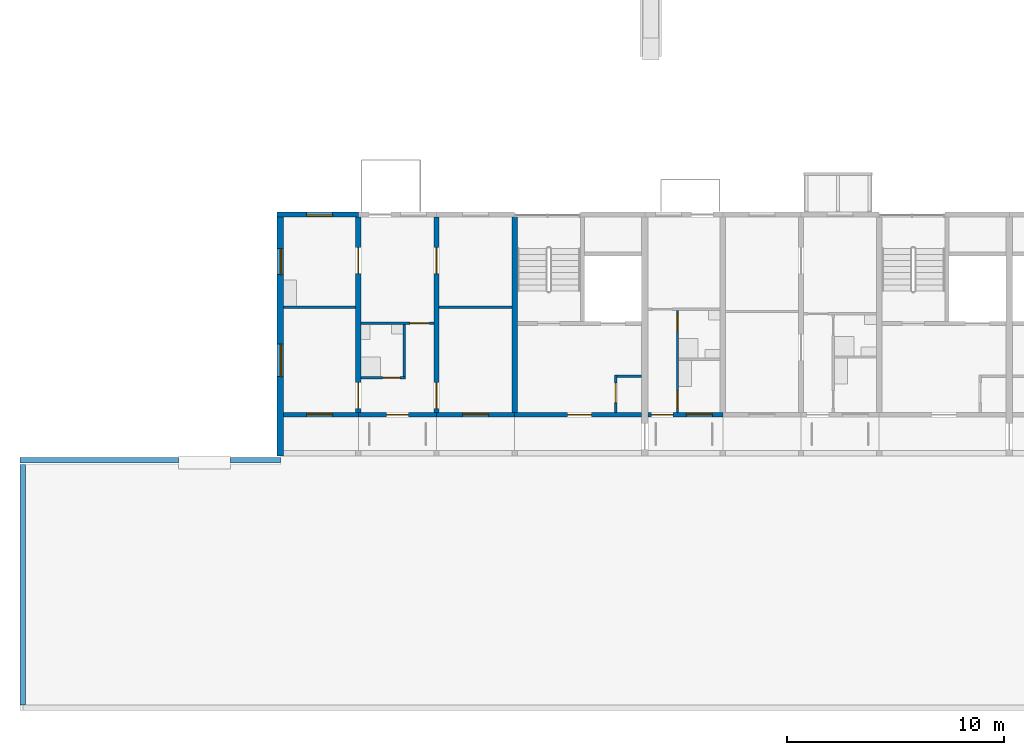
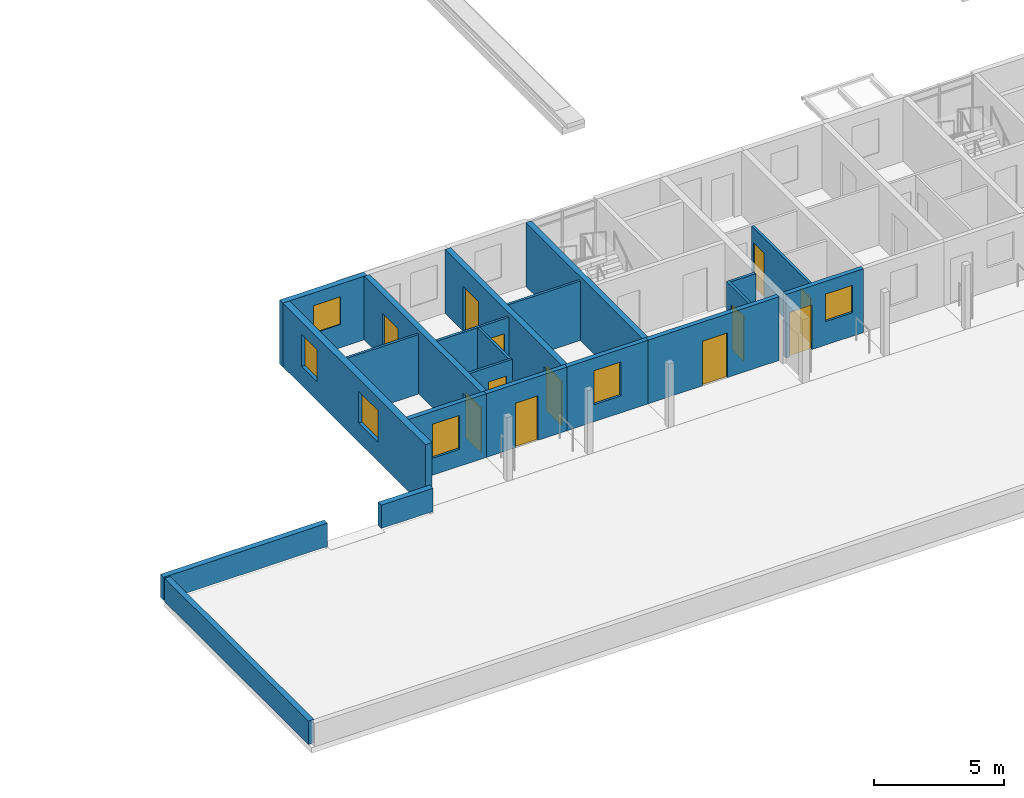
# One storey, part 40 of 115: 21 walls, 12 doors, 6 windows, 18 openings.
"""IFC4 building model written with IfcOpenShell, lengths in metres."""

import ifcopenshell
import ifcopenshell.guid

model = None  # the IFC model being written
_history = None  # IfcOwnerHistory: only IFC2X3 demands one
_inside = {}  # id of a spatial element -> (the spatial element, [elements in it])
_under = {}  # id of a project, library or spatial element -> (it, [spatial elements below it])
_declared = {}  # id of a project -> (the project, [libraries it declares])
_typed = {}  # id of a type object -> (the type object, [elements of that type])
_made_of = {}  # id of a material, layer set ... -> (it, [elements and type objects made of it])


def new_model(schema):
    """Start an empty IFC model of exactly this schema.

    Asked for "IFC4X3", IfcOpenShell would pick the latest addendum, in which some entities
    have other attributes; the version numbers below select the first issue.
    IFC2X3 requires an IfcOwnerHistory on every rooted entity: one is made here for all.
    """
    global model, _history
    if schema == "IFC4X3":
        model = ifcopenshell.file(schema_version=(4, 3, 0, 0))
    else:
        model = ifcopenshell.file(schema=schema)
    _inside.clear()
    _under.clear()
    _declared.clear()
    _typed.clear()
    _made_of.clear()
    _history = None
    if model.schema == "IFC2X3":
        org = make("IfcOrganization", Name="unknown")
        user = make(
            "IfcPersonAndOrganization",
            ThePerson=make("IfcPerson", FamilyName="unknown"),
            TheOrganization=org,
        )
        app = make(
            "IfcApplication",
            ApplicationDeveloper=org,
            Version="unknown",
            ApplicationFullName="unknown",
            ApplicationIdentifier="unknown",
        )
        _history = make(
            "IfcOwnerHistory",
            OwningUser=user,
            OwningApplication=app,
            ChangeAction="ADDED",
            CreationDate=0,
        )
    return model


def make(cls, **values):
    """One entity of the class cls with the attributes given. An attribute that is None is left unset."""
    return model.create_entity(
        cls, **{name: value for name, value in values.items() if value is not None}
    )


def rooted(cls, **values):
    """An entity with a GlobalId (a new one), such as an element, a storey or a relation."""
    return make(cls, GlobalId=ifcopenshell.guid.new(), OwnerHistory=_history, **values)


def si_unit(unit_type, name, prefix=None):
    """IfcSIUnit, for example si_unit("LENGTHUNIT", "METRE", prefix="MILLI")."""
    return make("IfcSIUnit", UnitType=unit_type, Prefix=prefix, Name=name)


def assignment(units):
    """IfcUnitAssignment: the units of a project."""
    return None if units is None else make("IfcUnitAssignment", Units=units)


def point(xyz):
    """IfcCartesianPoint."""
    return None if xyz is None else make("IfcCartesianPoint", Coordinates=xyz)


def direction(xyz):
    """IfcDirection."""
    return None if xyz is None else make("IfcDirection", DirectionRatios=xyz)


def frame(location, z_axis=None, x_axis=None):
    """IfcAxis2Placement3D, a coordinate frame: its origin and axes. An axis left out is left unset."""
    return make(
        "IfcAxis2Placement3D",
        Location=point(location),
        Axis=direction(z_axis),
        RefDirection=direction(x_axis),
    )


def frame_2d(location, x_axis=None):
    """IfcAxis2Placement2D, a coordinate frame in the plane: its origin and x axis."""
    return make(
        "IfcAxis2Placement2D", Location=point(location), RefDirection=direction(x_axis)
    )


def origin():
    """The frame at (0, 0, 0) with its axes left unset."""
    return frame((0.0, 0.0, 0.0))


def place(relative_to, where):
    """IfcLocalPlacement: puts the frame where relative to a parent placement (None: the world)."""
    return make(
        "IfcLocalPlacement", PlacementRelTo=relative_to, RelativePlacement=where
    )


def context(
    kind, dimensions, precision=None, world=None, true_north=None, identifier=None
):
    """IfcGeometricRepresentationContext, for example the 3D "Model" context."""
    return make(
        "IfcGeometricRepresentationContext",
        ContextIdentifier=identifier,
        ContextType=kind,
        CoordinateSpaceDimension=dimensions,
        Precision=precision,
        WorldCoordinateSystem=world,
        TrueNorth=true_north,
    )


def subcontext(parent, identifier, kind, view, scale=None):
    """IfcGeometricRepresentationSubContext, for example "Body" below "Model"."""
    return make(
        "IfcGeometricRepresentationSubContext",
        ContextIdentifier=identifier,
        ContextType=kind,
        ParentContext=parent,
        TargetScale=scale,
        TargetView=view,
    )


def project(units=None, contexts=None):
    """IfcProject with its units and contexts."""
    return rooted(
        "IfcProject",
        Name="project",
        RepresentationContexts=contexts,
        UnitsInContext=assignment(units),
    )


def spatial(cls, under=None, at=None, **own):
    """A site, building, storey or space (cls), placed at a placement, below another one or the project."""
    s = rooted(cls, ObjectPlacement=at, **own)
    if under is not None:
        _under.setdefault(under.id(), (under, []))[1].append(s)
    return s


def profile(cls, at=None, kind="AREA", **sizes):
    """A parametric profile (cls). Its sizes go by their IFC names, for example OverallWidth=200.0."""
    return make(cls, ProfileType=kind, Position=at, **sizes)


def rectangle(**sizes):
    """IfcRectangleProfileDef."""
    return profile("IfcRectangleProfileDef", **sizes)


def extrude(swept, where, along, depth):
    """IfcExtrudedAreaSolid: the profile swept, set in the frame where, extruded along a direction by depth."""
    return make(
        "IfcExtrudedAreaSolid",
        SweptArea=swept,
        Position=where,
        ExtrudedDirection=direction(along),
        Depth=depth,
    )


def shape(context_of_items, identifier, shape_type, items):
    """IfcShapeRepresentation: the items that make up one representation, for example the "Body"."""
    return make(
        "IfcShapeRepresentation",
        ContextOfItems=context_of_items,
        RepresentationIdentifier=identifier,
        RepresentationType=shape_type,
        Items=items,
    )


def material(Name=None, Category=None):
    """IfcMaterial."""
    return make("IfcMaterial", Name=Name, Category=Category)


def layer(
    of_material, thickness, ventilated=None, Name=None, Category=None, Priority=None
):
    """IfcMaterialLayer: one layer of a wall or slab, of a material (None: an air gap)."""
    return make(
        "IfcMaterialLayer",
        Material=of_material,
        LayerThickness=thickness,
        IsVentilated=ventilated,
        Name=Name,
        Category=Category,
        Priority=Priority,
    )


def layer_set(layers, Name=None):
    """IfcMaterialLayerSet."""
    return make("IfcMaterialLayerSet", MaterialLayers=layers, LayerSetName=Name)


def made_of(thing, what):
    """Note that an element or type object is made of a material, layer set ...; save() writes the relation."""
    if what is not None:
        _made_of.setdefault(what.id(), (what, []))[1].append(thing)
    return thing


def type_object(cls, material=None, **own):
    """A type object (cls), such as IfcWallType, which elements share."""
    return made_of(rooted(cls, **own), material)


def element(
    cls,
    number,
    at=None,
    inside=None,
    cuts=None,
    type_object=None,
    material=None,
    context=None,
    identifier="Body",
    shape_type=None,
    held_by="IfcProductDefinitionShape",
    body=None,
    shapes=None,
    **own,
):
    """One element of the class cls, such as IfcWall. Its Tag is "e" and its number.

    at: its placement. inside: the storey or other place that contains it. cuts: it is an
    opening in that element (IfcRelVoidsElement). A single representation is given by context,
    identifier, shape_type and body (its items); several are given by shapes. held_by: the class
    of the entity that holds the representations. save() writes the other relations.
    """
    e = rooted(cls, Tag="e%d" % number, ObjectPlacement=at, **own)
    if body is not None:
        shapes = [shape(context, identifier, shape_type, body)]
    if shapes is not None:
        e.Representation = make(held_by, Representations=shapes)
    if inside is not None:
        _inside.setdefault(inside.id(), (inside, []))[1].append(e)
    if cuts is not None:
        rooted(
            "IfcRelVoidsElement", RelatingBuildingElement=cuts, RelatedOpeningElement=e
        )
    if type_object is not None:
        _typed.setdefault(type_object.id(), (type_object, []))[1].append(e)
    return made_of(e, material)


def fill(opening, filler):
    """IfcRelFillsElement: the door or window that sits in an opening."""
    return rooted(
        "IfcRelFillsElement",
        RelatingOpeningElement=opening,
        RelatedBuildingElement=filler,
    )


def aggregate(whole, parts):
    """IfcRelAggregates: a whole, such as a stair, and the parts it consists of."""
    return rooted("IfcRelAggregates", RelatingObject=whole, RelatedObjects=parts)


def save(model, path):
    """Write the relations noted so far, then the file.

    IfcRelAggregates (storeys below a building ...), IfcRelContainedInSpatialStructure (elements
    in a storey), IfcRelDefinesByType, IfcRelAssociatesMaterial and IfcRelDeclares: one each for
    every whole, place, type object, material and project.
    """
    for whole, parts in _under.values():
        aggregate(whole, parts)
    for where, things in _inside.values():
        rooted(
            "IfcRelContainedInSpatialStructure",
            RelatedElements=things,
            RelatingStructure=where,
        )
    for kind, things in _typed.values():
        rooted("IfcRelDefinesByType", RelatedObjects=things, RelatingType=kind)
    for what, things in _made_of.values():
        rooted("IfcRelAssociatesMaterial", RelatedObjects=things, RelatingMaterial=what)
    for by, libraries in _declared.values():
        rooted("IfcRelDeclares", RelatingContext=by, RelatedDefinitions=libraries)
    model.write(path)


model = new_model("IFC4")

# Units and contexts
model_context = context("Model", 3, precision=1e-05, world=origin(), true_north=direction((0.0, 1.0)))
body_context = subcontext(model_context, "Body", "Model", "MODEL_VIEW")
ifc_project = project(units=[si_unit("LENGTHUNIT", "METRE"), si_unit("AREAUNIT", "SQUARE_METRE"), si_unit("VOLUMEUNIT", "CUBIC_METRE"), si_unit("PLANEANGLEUNIT", "RADIAN"), si_unit("MASSUNIT", "GRAM", prefix="KILO")], contexts=[model_context])

# Site, building, storey
site_placement = place(None, origin())
site = spatial("IfcSite", under=ifc_project, at=site_placement, CompositionType="ELEMENT")
building_placement = place(site_placement, origin())
building = spatial("IfcBuilding", under=site, at=building_placement, Name="Ridgestep Commons", CompositionType="ELEMENT")
storey_placement = place(building_placement, frame((0.0, 0.0, 6.0)))
storey = spatial("IfcBuildingStorey", under=building, at=storey_placement, Name="L02", CompositionType="ELEMENT", Elevation=6.0)

# Walls
ifc_material_1 = material(Name="Precast concrete C40/50", Category="concrete")
ifc_layer_1 = layer(ifc_material_1, 0.25)
ifc_layer_set_1 = layer_set([ifc_layer_1], Name="Community terrace parapet 250")
wall_type_1 = type_object("IfcWallType", Name="Community terrace parapet 250", PredefinedType="PARAPET", material=ifc_layer_set_1)
wall_1_placement = place(storey_placement, frame((0.010009765625, 11.550048828125, 0.0), z_axis=(0.0, 0.0, 1.0), x_axis=(1.0, 0.0, 0.0)))
element("IfcWall", 1, at=wall_1_placement, inside=storey, type_object=wall_type_1, Name="Terrace parapet", PredefinedType="PARAPET", context=body_context, shape_type="SweptSolid", body=[
    extrude(rectangle(XDim=7.2900390625, YDim=0.25, at=frame_2d((3.64501953125, 0.0))), origin(), (0.0, 0.0, 1.0), 1.10009765625),
])
wall_2_placement = place(storey_placement, frame((9.699951171875, 11.550048828125, 0.0), z_axis=(0.0, 0.0, 1.0), x_axis=(1.0, 0.0, 0.0)))
element("IfcWall", 2, at=wall_2_placement, inside=storey, type_object=wall_type_1, Name="Terrace parapet", PredefinedType="PARAPET", context=body_context, shape_type="SweptSolid", body=[
    extrude(rectangle(XDim=2.300048828125, YDim=0.25, at=frame_2d((1.14990234375, 0.0))), origin(), (0.0, 0.0, 1.0), 1.10009765625),
])
wall_3_placement = place(storey_placement, frame((0.1298828125, 0.260009765625, 0.0), z_axis=(0.0, 0.0, 1.0), x_axis=(0.0, 1.0, 0.0)))
element("IfcWall", 3, at=wall_3_placement, inside=storey, type_object=wall_type_1, Name="Deck parapet", PredefinedType="PARAPET", context=body_context, shape_type="SweptSolid", body=[
    extrude(rectangle(XDim=11.090087890625, YDim=0.25, at=frame_2d((5.544921875, 0.0))), origin(), (0.0, 0.0, 1.0), 1.10009765625),
])
ifc_material_2 = material(Name="Concrete C30/37", Category="concrete")
ifc_layer_2 = layer(ifc_material_2, 0.25)
ifc_layer_set_2 = layer_set([ifc_layer_2], Name="Core cross wall 250")
wall_type_2 = type_object("IfcWallType", Name="Core cross wall 250", PredefinedType="SHEAR", material=ifc_layer_set_2)
wall_4_placement = place(storey_placement, frame((22.800048828125, 13.75, 0.0), z_axis=(0.0, 0.0, 1.0), x_axis=(0.0, 1.0, 0.0)))
element("IfcWall", 4, at=wall_4_placement, inside=storey, type_object=wall_type_2, Name="Cross wall A-02-0228", PredefinedType="SHEAR", context=body_context, shape_type="SweptSolid", body=[
    extrude(rectangle(XDim=9.0, YDim=0.25, at=frame_2d((4.5, 0.0))), origin(), (0.0, 0.0, 1.0), 3.0),
])

# Wall, opening, door
ifc_material_3 = material(Name="Concrete C30/37", Category="concrete")
ifc_layer_3 = layer(ifc_material_3, 0.199951171875)
ifc_layer_set_3 = layer_set([ifc_layer_3], Name="Core south wall 200")
wall_type_3 = type_object("IfcWallType", Name="Core south wall 200", PredefinedType="SHEAR", material=ifc_layer_set_3)
wall_5_placement = place(storey_placement, frame((22.800048828125, 13.64990234375, 0.0), z_axis=(0.0, 0.0, 1.0), x_axis=(1.0, 0.0, 0.0)))
wall_5 = element("IfcWall", 5, at=wall_5_placement, inside=storey, type_object=wall_type_3, Name="Core south wall A1C L02", PredefinedType="SHEAR", context=body_context, shape_type="SweptSolid", body=[
    extrude(rectangle(XDim=5.849853515625, YDim=0.199951171875, at=frame_2d((2.9248046875, 0.0))), origin(), (0.0, 0.0, 1.0), 3.0),
])
opening_1_placement = place(wall_5_placement, frame((2.4375, 0.0, 0.0)))
opening_1 = element("IfcOpeningElement", 6, at=opening_1_placement, cuts=wall_5, Name="Opening A1C/02/1", PredefinedType="OPENING", context=body_context, shape_type="SweptSolid", body=[
    extrude(rectangle(XDim=1.10009765625, YDim=2.10009765625, at=frame_2d((0.550048828125, 1.050048828125))), frame((0.0, 0.10986328125, 0.0), z_axis=(0.0, -1.0, 0.0), x_axis=(1.0, 0.0, 0.0)), (0.0, 0.0, 1.0), 0.219970703125),
])
ifc_material_4 = material(Name="Steel fire door", Category="steel")
door_type_1 = type_object("IfcDoorType", Name="Lobby door 1100 x 2100 FD60", OperationType="NOTDEFINED", PredefinedType="DOOR", material=ifc_material_4)
door_1_placement = place(opening_1_placement, origin())
door_1 = element("IfcDoor", 7, at=door_1_placement, inside=storey, type_object=door_type_1, Name="Lobby door A1C/02/1", OperationType="SINGLE_SWING_LEFT", OverallHeight=2.10009765625, OverallWidth=1.10009765625, PredefinedType="DOOR", context=body_context, shape_type="SweptSolid", body=[
    extrude(rectangle(XDim=1.10009765625, YDim=2.10009765625, at=frame_2d((0.550048828125, 1.050048828125))), frame((0.0, 0.02490234375, 0.0), z_axis=(0.0, -1.0, 0.0), x_axis=(1.0, 0.0, 0.0)), (0.0, 0.0, 1.0), 0.050048828125),
])
fill(opening_1, door_1)

ifc_material_5 = material(Name="Concrete C30/37", Category="concrete")
ifc_layer_4 = layer(ifc_material_5, 0.1201171875)
ifc_layer_set_4 = layer_set([ifc_layer_4], Name="Core wall 120")
wall_type_4 = type_object("IfcWallType", Name="Core wall 120", PredefinedType="SHEAR", material=ifc_layer_set_4)
wall_6_placement = place(storey_placement, frame((27.4599609375, 13.75, 0.0), z_axis=(0.0, 0.0, 1.0), x_axis=(0.0, 1.0, 0.0)))
wall_6 = element("IfcWall", 8, at=wall_6_placement, inside=storey, type_object=wall_type_4, Name="Core riser w wall A1C L02", PredefinedType="SHEAR", context=body_context, shape_type="SweptSolid", body=[
    extrude(rectangle(XDim=1.719970703125, YDim=0.1201171875, at=frame_2d((0.85986328125, 0.0))), origin(), (0.0, 0.0, 1.0), 3.0),
])
opening_2_placement = place(wall_6_placement, frame((0.449951171875, 0.0, 0.0)))
opening_2 = element("IfcOpeningElement", 9, at=opening_2_placement, cuts=wall_6, Name="Opening A1C/02/4", PredefinedType="OPENING", context=body_context, shape_type="SweptSolid", body=[
    extrude(rectangle(XDim=0.89990234375, YDim=2.10009765625, at=frame_2d((0.449951171875, 1.050048828125))), frame((0.0, 0.070068359375, 0.0), z_axis=(0.0, -1.0, 0.0), x_axis=(1.0, 0.0, 0.0)), (0.0, 0.0, 1.0), 0.14013671875),
])
ifc_material_6 = material(Name="Steel fire door", Category="steel")
door_type_2 = type_object("IfcDoorType", Name="Riser door 900 x 2100 FD60", OperationType="NOTDEFINED", PredefinedType="DOOR", material=ifc_material_6)
door_2_placement = place(opening_2_placement, origin())
door_2 = element("IfcDoor", 10, at=door_2_placement, inside=storey, type_object=door_type_2, Name="Riser door A1C/02/4", OperationType="SINGLE_SWING_LEFT", OverallHeight=2.10009765625, OverallWidth=0.89990234375, PredefinedType="DOOR", context=body_context, shape_type="SweptSolid", body=[
    extrude(rectangle(XDim=0.89990234375, YDim=2.10009765625, at=frame_2d((0.449951171875, 1.050048828125))), frame((0.0, 0.02490234375, 0.0), z_axis=(0.0, -1.0, 0.0), x_axis=(1.0, 0.0, 0.0)), (0.0, 0.0, 1.0), 0.050048828125),
])
fill(opening_2, door_2)

# Wall
wall_7_placement = place(storey_placement, frame((27.52001953125, 15.409912109375, 0.0), z_axis=(0.0, 0.0, 1.0), x_axis=(1.0, 0.0, 0.0)))
element("IfcWall", 11, at=wall_7_placement, inside=storey, type_object=wall_type_4, Name="Core riser n wall A1C L02", PredefinedType="SHEAR", context=body_context, shape_type="SweptSolid", body=[
    extrude(rectangle(XDim=1.1298828125, YDim=0.1201171875, at=frame_2d((0.56494140625, 0.0))), origin(), (0.0, 0.0, 1.0), 3.0),
])

# Wall, openings, doors
ifc_material_7 = material(Name="Precast concrete C40/50", Category="concrete")
ifc_layer_5 = layer(ifc_material_7, 0.25)
ifc_layer_set_5 = layer_set([ifc_layer_5], Name="Cross wall 250")
wall_type_5 = type_object("IfcWallType", Name="Cross wall 250", PredefinedType="SHEAR", material=ifc_layer_set_5)
wall_8_placement = place(storey_placement, frame((15.60009765625, 13.75, 0.0), z_axis=(0.0, 0.0, 1.0), x_axis=(0.0, 1.0, 0.0)))
wall_8 = element("IfcWall", 12, at=wall_8_placement, inside=storey, type_object=wall_type_5, Name="Cross wall A-02-0156", PredefinedType="SHEAR", context=body_context, shape_type="SweptSolid", body=[
    extrude(rectangle(XDim=9.0, YDim=0.25, at=frame_2d((4.5, 0.0))), origin(), (0.0, 0.0, 1.0), 3.0),
])
opening_3_placement = place(wall_8_placement, frame((0.175048828125, 0.0, 0.0)))
opening_3 = element("IfcOpeningElement", 13, at=opening_3_placement, cuts=wall_8, Name="Opening A1-02a/4", PredefinedType="OPENING", context=body_context, shape_type="SweptSolid", body=[
    extrude(rectangle(XDim=1.199951171875, YDim=2.10009765625, at=frame_2d((0.60009765625, 1.050048828125))), frame((0.0, 0.135009765625, 0.0), z_axis=(0.0, -1.0, 0.0), x_axis=(1.0, 0.0, 0.0)), (0.0, 0.0, 1.0), 0.27001953125),
])
opening_4_placement = place(wall_8_placement, frame((6.39990234375, 0.0, 0.0)))
opening_4 = element("IfcOpeningElement", 14, at=opening_4_placement, cuts=wall_8, Name="Opening A1-02a/5", PredefinedType="OPENING", context=body_context, shape_type="SweptSolid", body=[
    extrude(rectangle(XDim=1.199951171875, YDim=2.10009765625, at=frame_2d((0.60009765625, 1.050048828125))), frame((0.0, 0.135009765625, 0.0), z_axis=(0.0, -1.0, 0.0), x_axis=(1.0, 0.0, 0.0)), (0.0, 0.0, 1.0), 0.27001953125),
])
ifc_material_8 = material(Name="Timber door leaf", Category="wood")
door_type_3 = type_object("IfcDoorType", Name="Double door 1200 x 2100", OperationType="DOUBLE_DOOR_SINGLE_SWING", PredefinedType="DOOR", material=ifc_material_8)
door_3_placement = place(opening_3_placement, origin())
door_3 = element("IfcDoor", 15, at=door_3_placement, inside=storey, type_object=door_type_3, Name="Double door A1-02a/4", OperationType="DOUBLE_DOOR_SINGLE_SWING", OverallHeight=2.10009765625, OverallWidth=1.199951171875, PredefinedType="DOOR", context=body_context, shape_type="SweptSolid", body=[
    extrude(rectangle(XDim=1.199951171875, YDim=2.10009765625, at=frame_2d((0.60009765625, 1.050048828125))), frame((0.0, 0.02490234375, 0.0), z_axis=(0.0, -1.0, 0.0), x_axis=(1.0, 0.0, 0.0)), (0.0, 0.0, 1.0), 0.050048828125),
])
fill(opening_3, door_3)
door_4_placement = place(opening_4_placement, origin())
door_4 = element("IfcDoor", 16, at=door_4_placement, inside=storey, type_object=door_type_3, Name="Double door A1-02a/5", OperationType="DOUBLE_DOOR_SINGLE_SWING", OverallHeight=2.10009765625, OverallWidth=1.199951171875, PredefinedType="DOOR", context=body_context, shape_type="SweptSolid", body=[
    extrude(rectangle(XDim=1.199951171875, YDim=2.10009765625, at=frame_2d((0.60009765625, 1.050048828125))), frame((0.0, 0.02490234375, 0.0), z_axis=(0.0, -1.0, 0.0), x_axis=(1.0, 0.0, 0.0)), (0.0, 0.0, 1.0), 0.050048828125),
])
fill(opening_4, door_4)

wall_9_placement = place(storey_placement, frame((19.199951171875, 13.75, 0.0), z_axis=(0.0, 0.0, 1.0), x_axis=(0.0, 1.0, 0.0)))
wall_9 = element("IfcWall", 17, at=wall_9_placement, inside=storey, type_object=wall_type_5, Name="Cross wall A-02-0192", PredefinedType="SHEAR", context=body_context, shape_type="SweptSolid", body=[
    extrude(rectangle(XDim=9.0, YDim=0.25, at=frame_2d((4.5, 0.0))), origin(), (0.0, 0.0, 1.0), 3.0),
])
opening_5_placement = place(wall_9_placement, frame((0.175048828125, 0.0, 0.0)))
opening_5 = element("IfcOpeningElement", 18, at=opening_5_placement, cuts=wall_9, Name="Opening A1-02a/6", PredefinedType="OPENING", context=body_context, shape_type="SweptSolid", body=[
    extrude(rectangle(XDim=1.199951171875, YDim=2.10009765625, at=frame_2d((0.60009765625, 1.050048828125))), frame((0.0, 0.135009765625, 0.0), z_axis=(0.0, -1.0, 0.0), x_axis=(1.0, 0.0, 0.0)), (0.0, 0.0, 1.0), 0.27001953125),
])
opening_6_placement = place(wall_9_placement, frame((6.39990234375, 0.0, 0.0)))
opening_6 = element("IfcOpeningElement", 19, at=opening_6_placement, cuts=wall_9, Name="Opening A1-02a/7", PredefinedType="OPENING", context=body_context, shape_type="SweptSolid", body=[
    extrude(rectangle(XDim=1.199951171875, YDim=2.10009765625, at=frame_2d((0.60009765625, 1.050048828125))), frame((0.0, 0.135009765625, 0.0), z_axis=(0.0, -1.0, 0.0), x_axis=(1.0, 0.0, 0.0)), (0.0, 0.0, 1.0), 0.27001953125),
])
door_5_placement = place(opening_5_placement, origin())
door_5 = element("IfcDoor", 20, at=door_5_placement, inside=storey, type_object=door_type_3, Name="Double door A1-02a/6", OperationType="DOUBLE_DOOR_SINGLE_SWING", OverallHeight=2.10009765625, OverallWidth=1.199951171875, PredefinedType="DOOR", context=body_context, shape_type="SweptSolid", body=[
    extrude(rectangle(XDim=1.199951171875, YDim=2.10009765625, at=frame_2d((0.60009765625, 1.050048828125))), frame((0.0, 0.02490234375, 0.0), z_axis=(0.0, -1.0, 0.0), x_axis=(1.0, 0.0, 0.0)), (0.0, 0.0, 1.0), 0.050048828125),
])
fill(opening_5, door_5)
door_6_placement = place(opening_6_placement, origin())
door_6 = element("IfcDoor", 21, at=door_6_placement, inside=storey, type_object=door_type_3, Name="Double door A1-02a/7", OperationType="DOUBLE_DOOR_SINGLE_SWING", OverallHeight=2.10009765625, OverallWidth=1.199951171875, PredefinedType="DOOR", context=body_context, shape_type="SweptSolid", body=[
    extrude(rectangle(XDim=1.199951171875, YDim=2.10009765625, at=frame_2d((0.60009765625, 1.050048828125))), frame((0.0, 0.02490234375, 0.0), z_axis=(0.0, -1.0, 0.0), x_axis=(1.0, 0.0, 0.0)), (0.0, 0.0, 1.0), 0.050048828125),
])
fill(opening_6, door_6)

# Wall, openings, windows
ifc_material_9 = material(Name="Precast concrete C40/50", Category="concrete")
ifc_layer_6 = layer(ifc_material_9, 0.300048828125)
ifc_layer_set_6 = layer_set([ifc_layer_6], Name="Exposed division wall 300")
wall_type_6 = type_object("IfcWallType", Name="Exposed division wall 300", PredefinedType="SHEAR", material=ifc_layer_set_6)
wall_10_placement = place(storey_placement, frame((12.0, 11.75, 0.0), z_axis=(0.0, 0.0, 1.0), x_axis=(0.0, 1.0, 0.0)))
wall_10 = element("IfcWall", 22, at=wall_10_placement, inside=storey, type_object=wall_type_6, Name="Cross wall A-02-0120", PredefinedType="SHEAR", context=body_context, shape_type="SweptSolid", body=[
    extrude(rectangle(XDim=11.0, YDim=0.300048828125, at=frame_2d((5.5, 0.0))), origin(), (0.0, 0.0, 1.0), 3.0),
])
opening_7_placement = place(wall_10_placement, frame((3.64990234375, 0.0, 0.89990234375)))
opening_7 = element("IfcOpeningElement", 23, at=opening_7_placement, cuts=wall_10, Name="Opening W16", PredefinedType="OPENING", context=body_context, shape_type="SweptSolid", body=[
    extrude(rectangle(XDim=1.5, YDim=1.5, at=frame_2d((0.75, 0.75))), frame((0.0, 0.159912109375, 0.0), z_axis=(0.0, -1.0, 0.0), x_axis=(1.0, 0.0, 0.0)), (0.0, 0.0, 1.0), 0.320068359375),
])
opening_8_placement = place(wall_10_placement, frame((8.35498046875, 0.0, 0.89990234375)))
opening_8 = element("IfcOpeningElement", 24, at=opening_8_placement, cuts=wall_10, Name="Opening W10", PredefinedType="OPENING", context=body_context, shape_type="SweptSolid", body=[
    extrude(rectangle(XDim=1.199951171875, YDim=1.5, at=frame_2d((0.60009765625, 0.75))), frame((0.0, 0.159912109375, 0.0), z_axis=(0.0, -1.0, 0.0), x_axis=(1.0, 0.0, 0.0)), (0.0, 0.0, 1.0), 0.320068359375),
])
ifc_material_10 = material(Name="Aluminium 6063-T6 and glass", Category="aluminium")
window_type_1 = type_object("IfcWindowType", Name="Flat window 1200 x 1500", PartitioningType="SINGLE_PANEL", PredefinedType="WINDOW", material=ifc_material_10)
window_1_placement = place(opening_8_placement, origin())
window_1 = element("IfcWindow", 25, at=window_1_placement, inside=storey, type_object=window_type_1, Name="Window A1-02a 7", OverallHeight=1.5, OverallWidth=1.199951171875, PartitioningType="SINGLE_PANEL", PredefinedType="WINDOW", context=body_context, shape_type="SweptSolid", body=[
    extrude(rectangle(XDim=1.199951171875, YDim=1.5, at=frame_2d((0.60009765625, 0.75))), frame((0.0, 0.0, 0.0), z_axis=(0.0, -1.0, 0.0), x_axis=(1.0, 0.0, 0.0)), (0.0, 0.0, 1.0), 0.06005859375),
])
fill(opening_8, window_1)
ifc_material_11 = material(Name="Aluminium 6063-T6 and glass", Category="aluminium")
window_type_2 = type_object("IfcWindowType", Name="Flat window 1500 x 1500", PartitioningType="DOUBLE_PANEL_VERTICAL", PredefinedType="WINDOW", material=ifc_material_11)
window_2_placement = place(opening_7_placement, origin())
window_2 = element("IfcWindow", 26, at=window_2_placement, inside=storey, type_object=window_type_2, Name="Window A1-02a 6", OverallHeight=1.5, OverallWidth=1.5, PartitioningType="SINGLE_PANEL", PredefinedType="WINDOW", context=body_context, shape_type="SweptSolid", body=[
    extrude(rectangle(XDim=1.5, YDim=1.5, at=frame_2d((0.75, 0.75))), frame((0.0, 0.0, 0.0), z_axis=(0.0, -1.0, 0.0), x_axis=(1.0, 0.0, 0.0)), (0.0, 0.0, 1.0), 0.06005859375),
])
fill(opening_7, window_2)

# Wall, opening, window
ifc_material_12 = material(Name="Precast concrete C40/50", Category="concrete")
ifc_layer_7 = layer(ifc_material_12, 0.25)
ifc_layer_set_7 = layer_set([ifc_layer_7], Name="North facade panel 250")
wall_type_7 = type_object("IfcWallType", Name="North facade panel 250", PredefinedType="SOLIDWALL", material=ifc_layer_set_7)
wall_11_placement = place(storey_placement, frame((11.85009765625, 22.875, 0.0), z_axis=(0.0, 0.0, 1.0), x_axis=(1.0, 0.0, 0.0)))
wall_11 = element("IfcWall", 27, at=wall_11_placement, inside=storey, type_object=wall_type_7, Name="North panel A1T1 L02", PredefinedType="SOLIDWALL", context=body_context, shape_type="SweptSolid", body=[
    extrude(rectangle(XDim=3.75, YDim=0.25, at=frame_2d((1.875, 0.0))), origin(), (0.0, 0.0, 1.0), 3.0),
])
opening_9_placement = place(wall_11_placement, frame((1.362548828125, 0.0, 1.10009765625)))
opening_9 = element("IfcOpeningElement", 28, at=opening_9_placement, cuts=wall_11, Name="Opening W08", PredefinedType="OPENING", context=body_context, shape_type="SweptSolid", body=[
    extrude(rectangle(XDim=1.199951171875, YDim=1.300048828125, at=frame_2d((0.60009765625, 0.64990234375))), frame((0.0, 0.135009765625, 0.0), z_axis=(0.0, -1.0, 0.0), x_axis=(1.0, 0.0, 0.0)), (0.0, 0.0, 1.0), 0.27001953125),
])
ifc_material_13 = material(Name="Aluminium 6063-T6 and glass", Category="aluminium")
window_type_3 = type_object("IfcWindowType", Name="Flat window 1200 x 1300", PartitioningType="SINGLE_PANEL", PredefinedType="WINDOW", material=ifc_material_13)
window_3_placement = place(opening_9_placement, origin())
window_3 = element("IfcWindow", 29, at=window_3_placement, inside=storey, type_object=window_type_3, Name="Window A1-02a 2", OverallHeight=1.300048828125, OverallWidth=1.199951171875, PartitioningType="SINGLE_PANEL", PredefinedType="WINDOW", context=body_context, shape_type="SweptSolid", body=[
    extrude(rectangle(XDim=1.199951171875, YDim=1.300048828125, at=frame_2d((0.60009765625, 0.64990234375))), frame((0.0, -0.02490234375, 0.0), z_axis=(0.0, -1.0, 0.0), x_axis=(1.0, 0.0, 0.0)), (0.0, 0.0, 1.0), 0.06005859375),
])
fill(opening_9, window_3)

# Wall, opening, door
ifc_material_14 = material(Name="Common brick 110 mm", Category="masonry")
ifc_layer_8 = layer(ifc_material_14, 0.110107421875)
ifc_layer_set_8 = layer_set([ifc_layer_8], Name="Partition 110")
wall_type_8 = type_object("IfcWallType", Name="Partition 110", PredefinedType="PARTITIONING", material=ifc_layer_set_8)
wall_12_placement = place(storey_placement, frame((15.72509765625, 15.35498046875, 0.0), z_axis=(0.0, 0.0, 1.0), x_axis=(1.0, 0.0, 0.0)))
wall_12 = element("IfcWall", 30, at=wall_12_placement, inside=storey, type_object=wall_type_8, Name="Partition A1-02a", PredefinedType="PARTITIONING", context=body_context, shape_type="SweptSolid", body=[
    extrude(rectangle(XDim=2.0498046875, YDim=0.110107421875, at=frame_2d((1.02490234375, 0.0))), origin(), (0.0, 0.0, 1.0), 2.800048828125),
])
opening_10_placement = place(wall_12_placement, frame((0.989990234375, 0.0, 0.0)))
opening_10 = element("IfcOpeningElement", 31, at=opening_10_placement, cuts=wall_12, Name="Opening A1-02a/2", PredefinedType="OPENING", context=body_context, shape_type="SweptSolid", body=[
    extrude(rectangle(XDim=0.800048828125, YDim=2.10009765625, at=frame_2d((0.39990234375, 1.050048828125))), frame((0.0, 0.06494140625, 0.0), z_axis=(0.0, -1.0, 0.0), x_axis=(1.0, 0.0, 0.0)), (0.0, 0.0, 1.0), 0.130126953125),
])
ifc_material_15 = material(Name="Timber door leaf", Category="wood")
door_type_4 = type_object("IfcDoorType", Name="Internal door 800 x 2100", OperationType="NOTDEFINED", PredefinedType="DOOR", material=ifc_material_15)
door_7_placement = place(opening_10_placement, origin())
door_7 = element("IfcDoor", 32, at=door_7_placement, inside=storey, type_object=door_type_4, Name="Internal door A1-02a/2", OperationType="SINGLE_SWING_RIGHT", OverallHeight=2.10009765625, OverallWidth=0.800048828125, PredefinedType="DOOR", context=body_context, shape_type="SweptSolid", body=[
    extrude(rectangle(XDim=0.800048828125, YDim=2.10009765625, at=frame_2d((0.39990234375, 1.050048828125))), frame((0.0, 0.02490234375, 0.0), z_axis=(0.0, -1.0, 0.0), x_axis=(1.0, 0.0, 0.0)), (0.0, 0.0, 1.0), 0.050048828125),
])
fill(opening_10, door_7)

# Wall
wall_13_placement = place(storey_placement, frame((17.719970703125, 15.409912109375, 0.0), z_axis=(0.0, 0.0, 1.0), x_axis=(0.0, 1.0, 0.0)))
element("IfcWall", 33, at=wall_13_placement, inside=storey, type_object=wall_type_8, Name="Partition A1-02a", PredefinedType="PARTITIONING", context=body_context, shape_type="SweptSolid", body=[
    extrude(rectangle(XDim=2.400146484375, YDim=0.110107421875, at=frame_2d((1.2001953125, 0.0))), origin(), (0.0, 0.0, 1.0), 2.800048828125),
])

# Wall, opening, door
wall_14_placement = place(storey_placement, frame((15.72509765625, 17.864990234375, 0.0), z_axis=(0.0, 0.0, 1.0), x_axis=(1.0, 0.0, 0.0)))
wall_14 = element("IfcWall", 34, at=wall_14_placement, inside=storey, type_object=wall_type_8, Name="Partition A1-02a", PredefinedType="PARTITIONING", context=body_context, shape_type="SweptSolid", body=[
    extrude(rectangle(XDim=3.349853515625, YDim=0.110107421875, at=frame_2d((1.6748046875, 0.0))), origin(), (0.0, 0.0, 1.0), 2.800048828125),
])
opening_11_placement = place(wall_14_placement, frame((2.25, 0.0, 0.0)))
opening_11 = element("IfcOpeningElement", 35, at=opening_11_placement, cuts=wall_14, Name="Opening A1-02a/3", PredefinedType="OPENING", context=body_context, shape_type="SweptSolid", body=[
    extrude(rectangle(XDim=0.89990234375, YDim=2.10009765625, at=frame_2d((0.449951171875, 1.050048828125))), frame((0.0, 0.06494140625, 0.0), z_axis=(0.0, -1.0, 0.0), x_axis=(1.0, 0.0, 0.0)), (0.0, 0.0, 1.0), 0.130126953125),
])
ifc_material_16 = material(Name="Timber door leaf", Category="wood")
door_type_5 = type_object("IfcDoorType", Name="Internal door 900 x 2100", OperationType="NOTDEFINED", PredefinedType="DOOR", material=ifc_material_16)
door_8_placement = place(opening_11_placement, origin())
door_8 = element("IfcDoor", 36, at=door_8_placement, inside=storey, type_object=door_type_5, Name="Internal door A1-02a/3", OperationType="SINGLE_SWING_LEFT", OverallHeight=2.10009765625, OverallWidth=0.89990234375, PredefinedType="DOOR", context=body_context, shape_type="SweptSolid", body=[
    extrude(rectangle(XDim=0.89990234375, YDim=2.10009765625, at=frame_2d((0.449951171875, 1.050048828125))), frame((0.0, 0.02490234375, 0.0), z_axis=(0.0, -1.0, 0.0), x_axis=(1.0, 0.0, 0.0)), (0.0, 0.0, 1.0), 0.050048828125),
])
fill(opening_11, door_8)

# Walls
wall_15_placement = place(storey_placement, frame((12.14990234375, 18.60498046875, 0.0), z_axis=(0.0, 0.0, 1.0), x_axis=(1.0, 0.0, 0.0)))
element("IfcWall", 37, at=wall_15_placement, inside=storey, type_object=wall_type_8, Name="Partition A1-02a", PredefinedType="PARTITIONING", context=body_context, shape_type="SweptSolid", body=[
    extrude(rectangle(XDim=3.3251953125, YDim=0.110107421875, at=frame_2d((1.66259765625, 0.0))), origin(), (0.0, 0.0, 1.0), 2.800048828125),
])
wall_16_placement = place(storey_placement, frame((19.324951171875, 18.60498046875, 0.0), z_axis=(0.0, 0.0, 1.0), x_axis=(1.0, 0.0, 0.0)))
element("IfcWall", 38, at=wall_16_placement, inside=storey, type_object=wall_type_8, Name="Partition A1-02a", PredefinedType="PARTITIONING", context=body_context, shape_type="SweptSolid", body=[
    extrude(rectangle(XDim=3.35009765625, YDim=0.110107421875, at=frame_2d((1.675048828125, 0.0))), origin(), (0.0, 0.0, 1.0), 2.800048828125),
])

# Wall, openings, doors
wall_17_placement = place(storey_placement, frame((30.304931640625, 13.75, 0.0), z_axis=(0.0, 0.0, 1.0), x_axis=(0.0, 1.0, 0.0)))
wall_17 = element("IfcWall", 39, at=wall_17_placement, inside=storey, type_object=wall_type_8, Name="Partition A2-02a", PredefinedType="PARTITIONING", context=body_context, shape_type="SweptSolid", body=[
    extrude(rectangle(XDim=4.699951171875, YDim=0.110107421875, at=frame_2d((2.35009765625, 0.0))), origin(), (0.0, 0.0, 1.0), 2.800048828125),
])
opening_12_placement = place(wall_17_placement, frame((0.199951171875, 0.0, 0.0)))
opening_12 = element("IfcOpeningElement", 40, at=opening_12_placement, cuts=wall_17, Name="Opening A2-02a/2", PredefinedType="OPENING", context=body_context, shape_type="SweptSolid", body=[
    extrude(rectangle(XDim=0.800048828125, YDim=2.10009765625, at=frame_2d((0.39990234375, 1.050048828125))), frame((0.0, 0.06494140625, 0.0), z_axis=(0.0, -1.0, 0.0), x_axis=(1.0, 0.0, 0.0)), (0.0, 0.0, 1.0), 0.130126953125),
])
opening_13_placement = place(wall_17_placement, frame((3.75, 0.0, 0.0)))
opening_13 = element("IfcOpeningElement", 41, at=opening_13_placement, cuts=wall_17, Name="Opening A2-02a/3", PredefinedType="OPENING", context=body_context, shape_type="SweptSolid", body=[
    extrude(rectangle(XDim=0.800048828125, YDim=2.10009765625, at=frame_2d((0.39990234375, 1.050048828125))), frame((0.0, 0.06494140625, 0.0), z_axis=(0.0, -1.0, 0.0), x_axis=(1.0, 0.0, 0.0)), (0.0, 0.0, 1.0), 0.130126953125),
])
door_9_placement = place(opening_12_placement, origin())
door_9 = element("IfcDoor", 42, at=door_9_placement, inside=storey, type_object=door_type_4, Name="Internal door A2-02a/2", OperationType="SINGLE_SWING_RIGHT", OverallHeight=2.10009765625, OverallWidth=0.800048828125, PredefinedType="DOOR", context=body_context, shape_type="SweptSolid", body=[
    extrude(rectangle(XDim=0.800048828125, YDim=2.10009765625, at=frame_2d((0.39990234375, 1.050048828125))), frame((0.0, 0.02490234375, 0.0), z_axis=(0.0, -1.0, 0.0), x_axis=(1.0, 0.0, 0.0)), (0.0, 0.0, 1.0), 0.050048828125),
])
fill(opening_12, door_9)
door_10_placement = place(opening_13_placement, origin())
door_10 = element("IfcDoor", 43, at=door_10_placement, inside=storey, type_object=door_type_4, Name="Internal door A2-02a/3", OperationType="SINGLE_SWING_LEFT", OverallHeight=2.10009765625, OverallWidth=0.800048828125, PredefinedType="DOOR", context=body_context, shape_type="SweptSolid", body=[
    extrude(rectangle(XDim=0.800048828125, YDim=2.10009765625, at=frame_2d((0.39990234375, 1.050048828125))), frame((0.0, 0.02490234375, 0.0), z_axis=(0.0, -1.0, 0.0), x_axis=(1.0, 0.0, 0.0)), (0.0, 0.0, 1.0), 0.050048828125),
])
fill(opening_13, door_10)

# Wall, opening, window
ifc_material_17 = material(Name="Precast concrete C40/50", Category="concrete")
ifc_layer_9 = layer(ifc_material_17, 0.199951171875)
ifc_layer_set_9 = layer_set([ifc_layer_9], Name="South facade panel 200")
wall_type_9 = type_object("IfcWallType", Name="South facade panel 200", PredefinedType="SOLIDWALL", material=ifc_layer_set_9)
wall_18_placement = place(storey_placement, frame((12.14990234375, 13.64990234375, 0.0), z_axis=(0.0, 0.0, 1.0), x_axis=(1.0, 0.0, 0.0)))
wall_18 = element("IfcWall", 44, at=wall_18_placement, inside=storey, type_object=wall_type_9, Name="South panel A1T1 L02", PredefinedType="SOLIDWALL", context=body_context, shape_type="SweptSolid", body=[
    extrude(rectangle(XDim=3.4501953125, YDim=0.199951171875, at=frame_2d((1.72509765625, 0.0))), origin(), (0.0, 0.0, 1.0), 3.0),
])
opening_14_placement = place(wall_18_placement, frame((1.0625, 0.0, 0.800048828125)))
opening_14 = element("IfcOpeningElement", 45, at=opening_14_placement, cuts=wall_18, Name="Opening W11", PredefinedType="OPENING", context=body_context, shape_type="SweptSolid", body=[
    extrude(rectangle(XDim=1.199951171875, YDim=1.60009765625, at=frame_2d((0.60009765625, 0.800048828125))), frame((0.0, 0.10986328125, 0.0), z_axis=(0.0, -1.0, 0.0), x_axis=(1.0, 0.0, 0.0)), (0.0, 0.0, 1.0), 0.219970703125),
])
ifc_material_18 = material(Name="Aluminium 6063-T6 and glass", Category="aluminium")
window_type_4 = type_object("IfcWindowType", Name="Flat window 1200 x 1600", PartitioningType="SINGLE_PANEL", PredefinedType="WINDOW", material=ifc_material_18)
window_4_placement = place(opening_14_placement, origin())
window_4 = element("IfcWindow", 46, at=window_4_placement, inside=storey, type_object=window_type_4, Name="Window A1-02a 1", OverallHeight=1.60009765625, OverallWidth=1.199951171875, PartitioningType="SINGLE_PANEL", PredefinedType="WINDOW", context=body_context, shape_type="SweptSolid", body=[
    extrude(rectangle(XDim=1.199951171875, YDim=1.60009765625, at=frame_2d((0.60009765625, 0.800048828125))), frame((0.0, 0.06005859375, 0.0), z_axis=(0.0, -1.0, 0.0), x_axis=(1.0, 0.0, 0.0)), (0.0, 0.0, 1.0), 0.06005859375),
])
fill(opening_14, window_4)

# Wall, opening, door
wall_19_placement = place(storey_placement, frame((15.60009765625, 13.64990234375, 0.0), z_axis=(0.0, 0.0, 1.0), x_axis=(1.0, 0.0, 0.0)))
wall_19 = element("IfcWall", 47, at=wall_19_placement, inside=storey, type_object=wall_type_9, Name="South panel A1T2 L02", PredefinedType="SOLIDWALL", context=body_context, shape_type="SweptSolid", body=[
    extrude(rectangle(XDim=3.599853515625, YDim=0.199951171875, at=frame_2d((1.7998046875, 0.0))), origin(), (0.0, 0.0, 1.0), 3.0),
])
opening_15_placement = place(wall_19_placement, frame((1.300048828125, 0.0, 0.0)))
opening_15 = element("IfcOpeningElement", 48, at=opening_15_placement, cuts=wall_19, Name="Opening A1-02a/1", PredefinedType="OPENING", context=body_context, shape_type="SweptSolid", body=[
    extrude(rectangle(XDim=1.0, YDim=2.10009765625, at=frame_2d((0.5, 1.050048828125))), frame((0.0, 0.10986328125, 0.0), z_axis=(0.0, -1.0, 0.0), x_axis=(1.0, 0.0, 0.0)), (0.0, 0.0, 1.0), 0.219970703125),
])
ifc_material_19 = material(Name="Timber door leaf", Category="wood")
door_type_6 = type_object("IfcDoorType", Name="Flat entrance door 1000 x 2100 FD30S", OperationType="NOTDEFINED", PredefinedType="DOOR", material=ifc_material_19)
door_11_placement = place(opening_15_placement, origin())
door_11 = element("IfcDoor", 49, at=door_11_placement, inside=storey, type_object=door_type_6, Name="Flat entrance door A1-02a/1", OperationType="SINGLE_SWING_RIGHT", OverallHeight=2.10009765625, OverallWidth=1.0, PredefinedType="DOOR", context=body_context, shape_type="SweptSolid", body=[
    extrude(rectangle(XDim=1.0, YDim=2.10009765625, at=frame_2d((0.5, 1.050048828125))), frame((0.0, 0.02490234375, 0.0), z_axis=(0.0, -1.0, 0.0), x_axis=(1.0, 0.0, 0.0)), (0.0, 0.0, 1.0), 0.050048828125),
])
fill(opening_15, door_11)

# Wall, opening, window
wall_20_placement = place(storey_placement, frame((19.199951171875, 13.64990234375, 0.0), z_axis=(0.0, 0.0, 1.0), x_axis=(1.0, 0.0, 0.0)))
wall_20 = element("IfcWall", 50, at=wall_20_placement, inside=storey, type_object=wall_type_9, Name="South panel A1T3 L02", PredefinedType="SOLIDWALL", context=body_context, shape_type="SweptSolid", body=[
    extrude(rectangle(XDim=3.60009765625, YDim=0.199951171875, at=frame_2d((1.800048828125, 0.0))), origin(), (0.0, 0.0, 1.0), 3.0),
])
opening_16_placement = place(wall_20_placement, frame((1.199951171875, 0.0, 0.800048828125)))
opening_16 = element("IfcOpeningElement", 51, at=opening_16_placement, cuts=wall_20, Name="Opening W11", PredefinedType="OPENING", context=body_context, shape_type="SweptSolid", body=[
    extrude(rectangle(XDim=1.199951171875, YDim=1.60009765625, at=frame_2d((0.60009765625, 0.800048828125))), frame((0.0, 0.10986328125, 0.0), z_axis=(0.0, -1.0, 0.0), x_axis=(1.0, 0.0, 0.0)), (0.0, 0.0, 1.0), 0.219970703125),
])
window_5_placement = place(opening_16_placement, origin())
window_5 = element("IfcWindow", 52, at=window_5_placement, inside=storey, type_object=window_type_4, Name="Window A1-02a 3", OverallHeight=1.60009765625, OverallWidth=1.199951171875, PartitioningType="SINGLE_PANEL", PredefinedType="WINDOW", context=body_context, shape_type="SweptSolid", body=[
    extrude(rectangle(XDim=1.199951171875, YDim=1.60009765625, at=frame_2d((0.60009765625, 0.800048828125))), frame((0.0, 0.06005859375, 0.0), z_axis=(0.0, -1.0, 0.0), x_axis=(1.0, 0.0, 0.0)), (0.0, 0.0, 1.0), 0.06005859375),
])
fill(opening_16, window_5)

# Wall, openings, door, window
wall_21_placement = place(storey_placement, frame((28.949951171875, 13.64990234375, 0.0), z_axis=(0.0, 0.0, 1.0), x_axis=(1.0, 0.0, 0.0)))
wall_21 = element("IfcWall", 53, at=wall_21_placement, inside=storey, type_object=wall_type_9, Name="South panel A2T1 L02", PredefinedType="SOLIDWALL", context=body_context, shape_type="SweptSolid", body=[
    extrude(rectangle(XDim=3.449951171875, YDim=0.199951171875, at=frame_2d((1.72509765625, 0.0))), origin(), (0.0, 0.0, 1.0), 3.0),
])
opening_17_placement = place(wall_21_placement, frame((1.767578125, 0.0, 1.10009765625)))
opening_17 = element("IfcOpeningElement", 54, at=opening_17_placement, cuts=wall_21, Name="Opening W08", PredefinedType="OPENING", context=body_context, shape_type="SweptSolid", body=[
    extrude(rectangle(XDim=1.199951171875, YDim=1.300048828125, at=frame_2d((0.60009765625, 0.64990234375))), frame((0.0, 0.10986328125, 0.0), z_axis=(0.0, -1.0, 0.0), x_axis=(1.0, 0.0, 0.0)), (0.0, 0.0, 1.0), 0.219970703125),
])
opening_18_placement = place(wall_21_placement, frame((0.14990234375, 0.0, 0.0)))
opening_18 = element("IfcOpeningElement", 55, at=opening_18_placement, cuts=wall_21, Name="Opening A2-02a/1", PredefinedType="OPENING", context=body_context, shape_type="SweptSolid", body=[
    extrude(rectangle(XDim=1.0, YDim=2.10009765625, at=frame_2d((0.5, 1.050048828125))), frame((0.0, 0.10986328125, 0.0), z_axis=(0.0, -1.0, 0.0), x_axis=(1.0, 0.0, 0.0)), (0.0, 0.0, 1.0), 0.219970703125),
])
door_12_placement = place(opening_18_placement, origin())
door_12 = element("IfcDoor", 56, at=door_12_placement, inside=storey, type_object=door_type_6, Name="Flat entrance door A2-02a/1", OperationType="SINGLE_SWING_LEFT", OverallHeight=2.10009765625, OverallWidth=1.0, PredefinedType="DOOR", context=body_context, shape_type="SweptSolid", body=[
    extrude(rectangle(XDim=1.0, YDim=2.10009765625, at=frame_2d((0.5, 1.050048828125))), frame((0.0, 0.02490234375, 0.0), z_axis=(0.0, -1.0, 0.0), x_axis=(1.0, 0.0, 0.0)), (0.0, 0.0, 1.0), 0.050048828125),
])
fill(opening_18, door_12)
window_6_placement = place(opening_17_placement, origin())
window_6 = element("IfcWindow", 57, at=window_6_placement, inside=storey, type_object=window_type_3, Name="Window A2-02a 1", OverallHeight=1.300048828125, OverallWidth=1.199951171875, PartitioningType="SINGLE_PANEL", PredefinedType="WINDOW", context=body_context, shape_type="SweptSolid", body=[
    extrude(rectangle(XDim=1.199951171875, YDim=1.300048828125, at=frame_2d((0.60009765625, 0.64990234375))), frame((0.0, 0.06005859375, 0.0), z_axis=(0.0, -1.0, 0.0), x_axis=(1.0, 0.0, 0.0)), (0.0, 0.0, 1.0), 0.06005859375),
])
fill(opening_17, window_6)

save(model, "model.ifc")
